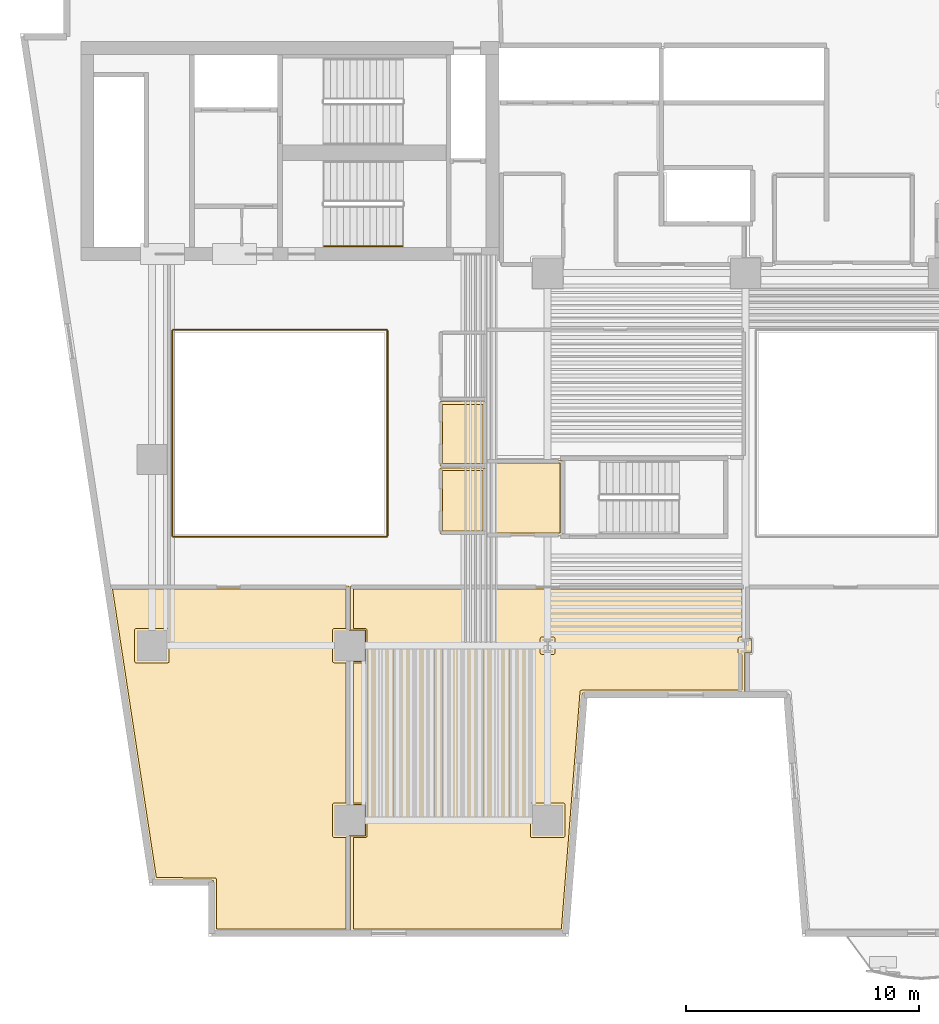
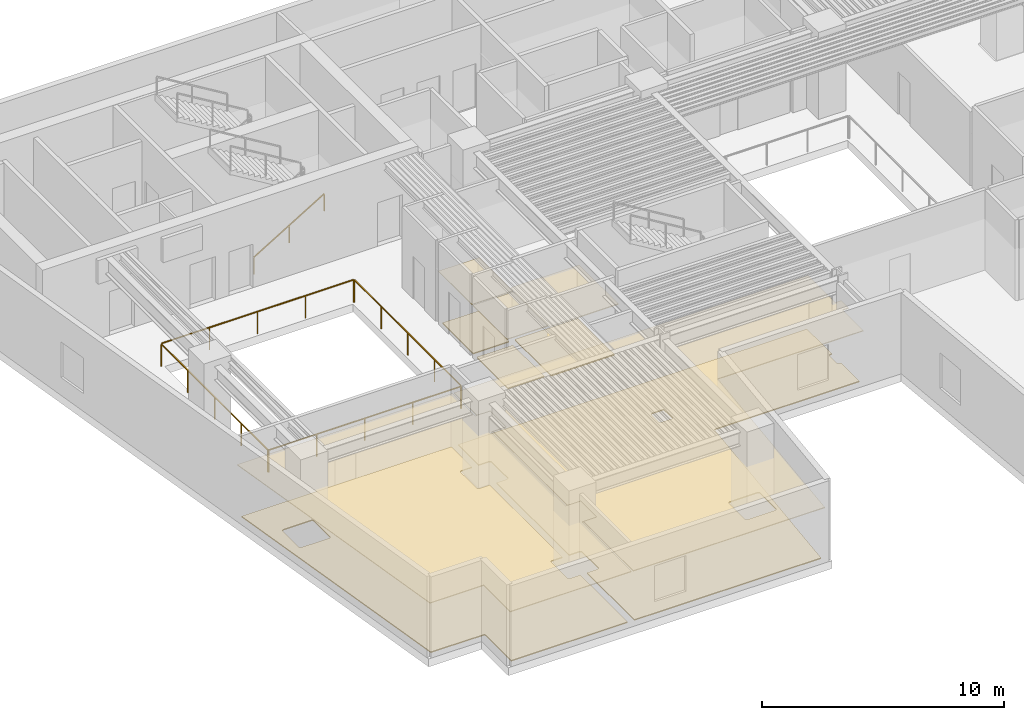
# One storey, part 8 of 12: 10 coverings, 5 railings.
"""IFC4 building model written with IfcOpenShell, lengths in metres."""

from ifc_helpers import new_model, si_unit, direction, frame, origin, origin_2d, place, context, subcontext, project, spatial, polyline, rectangle, outline, extrude, material, layer, layer_set, type_object, element, save


model = new_model("IFC4")

# Units and contexts
model_context = context("Model", 3, precision=1e-05, world=origin(), true_north=direction((0.0, 1.0)))
body_context = subcontext(model_context, "Body", "Model", "MODEL_VIEW")
ifc_project = project(units=[si_unit("LENGTHUNIT", "METRE"), si_unit("AREAUNIT", "SQUARE_METRE"), si_unit("VOLUMEUNIT", "CUBIC_METRE"), si_unit("PLANEANGLEUNIT", "RADIAN"), si_unit("MASSUNIT", "GRAM", prefix="KILO")], contexts=[model_context])

# Site, building, storey
site_placement = place(None, origin())
site = spatial("IfcSite", under=ifc_project, at=site_placement, CompositionType="ELEMENT")
building_placement = place(site_placement, origin())
building = spatial("IfcBuilding", under=site, at=building_placement, Name="Caeloran Harvest Quay", CompositionType="ELEMENT")
storey_placement = place(building_placement, frame((0.0, 0.0, 27.0)))
storey = spatial("IfcBuildingStorey", under=building, at=storey_placement, Name="L06", CompositionType="ELEMENT", Elevation=27.0)

# Coverings
ifc_material_1 = material(Name="Perforated Mineral-Fibre Acoustic Ceiling Tile", Category="ceiling")
ifc_layer_1 = layer(ifc_material_1, 0.0400390625, Name="Perforated Mineral-Fibre Acoustic Ceiling Tile")
ifc_layer_set_1 = layer_set([ifc_layer_1], Name="Perforated Mineral-Fibre Acoustic Ceiling Tile")
covering_type_1 = type_object("IfcCoveringType", Name="COV-CEILING-ACOUSTIC", PredefinedType="CEILING", material=ifc_layer_set_1)
covering_1_placement = place(storey_placement, frame((0.0, 0.0, 2.60009765625)))
element("IfcCovering", 1, at=covering_1_placement, inside=storey, type_object=covering_type_1, Name="L06 Female Washroom WC Acoustic Ceiling", PredefinedType="CEILING", context=body_context, shape_type="SweptSolid", body=[
    extrude(outline(polyline([(22.840087890625, 22.7099609375), (20.8701171875, 22.7099609375), (20.8701171875, 25.489990234375), (22.840087890625, 25.489990234375), (22.840087890625, 22.7099609375)])), origin(), (0.0, 0.0, 1.0), 0.039794921875),
])
covering_2_placement = place(storey_placement, frame((0.0, 0.0, 2.60009765625)))
element("IfcCovering", 2, at=covering_2_placement, inside=storey, type_object=covering_type_1, Name="L06 Accessible Unisex Washroom WC Acoustic Ceiling", PredefinedType="CEILING", context=body_context, shape_type="SweptSolid", body=[
    extrude(outline(polyline([(22.840087890625, 19.81005859375), (20.8701171875, 19.81005859375), (20.8701171875, 22.639892578125), (22.840087890625, 22.639892578125), (22.840087890625, 19.81005859375)])), origin(), (0.0, 0.0, 1.0), 0.039794921875),
])
covering_3_placement = place(storey_placement, frame((0.0, 0.0, 2.60009765625)))
element("IfcCovering", 3, at=covering_3_placement, inside=storey, type_object=covering_type_1, Name="Aeroponic Root-Mist Growing Chamber Acoustic Ceiling", PredefinedType="CEILING", context=body_context, shape_type="SweptSolid", body=[
    extrude(outline(polyline([(17.669921875, 6.830078125), (16.9599609375, 6.830078125), (16.9599609375, 2.719970703125), (11.156982421875, 2.719970703125), (11.156982421875, 4.919921875), (8.59130859375, 4.919921875), (6.668701171875, 17.56005859375), (16.9599609375, 17.56005859375), (16.9599609375, 15.669921875), (17.669921875, 15.669921875), (17.669921875, 14.330078125), (16.9599609375, 14.330078125), (16.9599609375, 8.169921875), (17.669921875, 8.169921875), (17.669921875, 6.830078125)])), origin(), (0.0, 0.0, 1.0), 0.039794921875),
])
covering_4_placement = place(storey_placement, frame((0.0, 0.0, 2.60009765625)))
element("IfcCovering", 4, at=covering_4_placement, inside=storey, type_object=covering_type_1, Name="Seedling Nursery Room Acoustic Ceiling", PredefinedType="CEILING", context=body_context, shape_type="SweptSolid", body=[
    extrude(outline(polyline([(16.330078125, 8.169921875), (17.0400390625, 8.169921875), (17.0400390625, 14.330078125), (16.330078125, 14.330078125), (16.330078125, 15.669921875), (17.0400390625, 15.669921875), (17.0400390625, 17.56005859375), (33.9599609375, 17.56005859375), (33.9599609375, 15.304443359375), (34.2470703125, 15.304443359375), (34.2470703125, 14.695556640625), (33.9599609375, 14.695556640625), (33.9599609375, 12.969970703125), (26.99951171875, 12.969970703125), (26.199462890625, 2.719970703125), (17.0400390625, 2.719970703125), (17.0400390625, 6.830078125), (16.330078125, 6.830078125), (16.330078125, 8.169921875)])), origin(), (0.0, 0.0, 1.0), 0.039794921875),
])
covering_5_placement = place(storey_placement, frame((0.0, 0.0, 2.60009765625)))
element("IfcCovering", 5, at=covering_5_placement, inside=storey, type_object=covering_type_1, Name="Agronomist Office Acoustic Ceiling", PredefinedType="CEILING", context=body_context, shape_type="SweptSolid", body=[
    extrude(outline(polyline([(26.139892578125, 22.9599609375), (26.139892578125, 19.7099609375), (22.8701171875, 19.7099609375), (22.8701171875, 22.9599609375), (26.139892578125, 22.9599609375)])), origin(), (0.0, 0.0, 1.0), 0.039794921875),
])
ifc_material_2 = material(Name="Calcium-Sulphate Raised Access Floor and Terrazzo Finish", Category="flooring")
ifc_layer_2 = layer(ifc_material_2, 0.050048828125, Name="Calcium-Sulphate Raised Access Floor and Terrazzo Finish")
ifc_layer_set_2 = layer_set([ifc_layer_2], Name="Calcium-Sulphate Raised Access Floor and Terrazzo Finish")
covering_type_2 = type_object("IfcCoveringType", Name="COV-FLOOR-RAISED", PredefinedType="FLOORING", material=ifc_layer_set_2)
covering_6_placement = place(storey_placement, origin())
element("IfcCovering", 6, at=covering_6_placement, inside=storey, type_object=covering_type_2, Name="L06 Female Washroom WC Raised Finish Flooring", PredefinedType="FLOORING", context=body_context, shape_type="SweptSolid", body=[
    extrude(outline(polyline([(22.719970703125, 22.830078125), (20.989990234375, 22.830078125), (20.989990234375, 25.3701171875), (22.719970703125, 25.3701171875), (22.719970703125, 22.830078125)])), origin(), (0.0, 0.0, 1.0), 0.050048828125),
])
covering_7_placement = place(storey_placement, origin())
element("IfcCovering", 7, at=covering_7_placement, inside=storey, type_object=covering_type_2, Name="L06 Accessible Unisex Washroom WC Raised Finish Flooring", PredefinedType="FLOORING", context=body_context, shape_type="SweptSolid", body=[
    extrude(outline(polyline([(22.719970703125, 19.929931640625), (20.989990234375, 19.929931640625), (20.989990234375, 22.52001953125), (22.719970703125, 22.52001953125), (22.719970703125, 19.929931640625)])), origin(), (0.0, 0.0, 1.0), 0.050048828125),
])
covering_8_placement = place(storey_placement, origin())
element("IfcCovering", 8, at=covering_8_placement, inside=storey, type_object=covering_type_2, Name="Aeroponic Root-Mist Growing Chamber Raised Finish Flooring", PredefinedType="FLOORING", context=body_context, shape_type="SweptSolid", body=[
    extrude(outline(polyline([(16.840087890625, 17.43994140625), (16.840087890625, 15.7451171875), (16.3271484375, 15.74462890625), (16.273193359375, 15.7158203125), (16.2548828125, 15.6650390625), (16.260986328125, 14.304443359375), (16.3271484375, 14.25537109375), (16.840087890625, 14.2548828125), (16.840087890625, 8.2451171875), (16.3271484375, 8.24462890625), (16.273193359375, 8.2158203125), (16.2548828125, 8.1650390625), (16.260986328125, 6.804443359375), (16.3271484375, 6.75537109375), (16.840087890625, 6.7548828125), (16.840087890625, 2.840087890625), (11.277099609375, 2.840087890625), (11.277099609375, 4.9599609375), (11.247802734375, 5.021728515625), (8.694580078125, 5.0400390625), (6.80810546875, 17.43994140625), (16.840087890625, 17.43994140625)]), holes=[polyline([(9.2451171875, 15.6650390625), (9.2216796875, 15.7216796875), (9.1650390625, 15.7451171875), (7.8349609375, 15.7451171875), (7.7783203125, 15.7216796875), (7.7548828125, 15.6650390625), (7.7548828125, 14.3349609375), (7.7783203125, 14.2783203125), (7.8349609375, 14.2548828125), (9.1650390625, 14.2548828125), (9.2216796875, 14.2783203125), (9.2451171875, 14.3349609375), (9.2451171875, 15.6650390625)])]), origin(), (0.0, 0.0, 1.0), 0.050048828125),
])
covering_9_placement = place(storey_placement, origin())
element("IfcCovering", 9, at=covering_9_placement, inside=storey, type_object=covering_type_2, Name="Seedling Nursery Room Raised Finish Flooring", PredefinedType="FLOORING", context=body_context, shape_type="SweptSolid", body=[
    extrude(outline(polyline([(33.840087890625, 17.43994140625), (33.840087890625, 15.37939453125), (33.72021484375, 15.3701171875), (33.677978515625, 15.299560546875), (33.679443359375, 14.684814453125), (33.727294921875, 14.626708984375), (33.840087890625, 14.62060546875), (33.840087890625, 13.090087890625), (26.96240234375, 13.090087890625), (26.891357421875, 13.046630859375), (26.08837890625, 2.840087890625), (17.159912109375, 2.840087890625), (17.159912109375, 6.7548828125), (17.6728515625, 6.75537109375), (17.726806640625, 6.7841796875), (17.7451171875, 6.8349609375), (17.739013671875, 8.195556640625), (17.6728515625, 8.24462890625), (17.159912109375, 8.2451171875), (17.159912109375, 14.2548828125), (17.6728515625, 14.25537109375), (17.726806640625, 14.2841796875), (17.7451171875, 14.3349609375), (17.739013671875, 15.695556640625), (17.6728515625, 15.74462890625), (17.159912109375, 15.7451171875), (17.159912109375, 17.43994140625), (33.840087890625, 17.43994140625)]), holes=[polyline([(26.2451171875, 8.1650390625), (26.2216796875, 8.2216796875), (26.1650390625, 8.2451171875), (24.8349609375, 8.2451171875), (24.7783203125, 8.2216796875), (24.7548828125, 8.1650390625), (24.7548828125, 6.8349609375), (24.7783203125, 6.7783203125), (24.8349609375, 6.7548828125), (26.1650390625, 6.7548828125), (26.2216796875, 6.7783203125), (26.2451171875, 6.8349609375), (26.2451171875, 8.1650390625)]), polyline([(25.822021484375, 14.700439453125), (25.8037109375, 15.350341796875), (25.749755859375, 15.379150390625), (25.258056640625, 15.37939453125), (25.201416015625, 15.356201171875), (25.177978515625, 15.299560546875), (25.177978515625, 14.700439453125), (25.201416015625, 14.643798828125), (25.258056640625, 14.62060546875), (25.741943359375, 14.62060546875), (25.798583984375, 14.643798828125), (25.822021484375, 14.700439453125)])]), origin(), (0.0, 0.0, 1.0), 0.050048828125),
])
covering_10_placement = place(storey_placement, origin())
element("IfcCovering", 10, at=covering_10_placement, inside=storey, type_object=covering_type_2, Name="Agronomist Office Raised Finish Flooring", PredefinedType="FLOORING", context=body_context, shape_type="SweptSolid", body=[
    extrude(outline(polyline([(26.02001953125, 22.840087890625), (26.02001953125, 19.830078125), (22.989990234375, 19.830078125), (22.989990234375, 22.840087890625), (26.02001953125, 22.840087890625)])), origin(), (0.0, 0.0, 1.0), 0.050048828125),
])

# Railings
ifc_material_3 = material(Name="Powder-Coated Steel Post and Laminated Glass Guardrail", Category="steel")
ifc_layer_3 = layer(ifc_material_3, 0.06005859375, Name="Powder-Coated Steel Post and Laminated Glass Guardrail")
ifc_layer_set_3 = layer_set([ifc_layer_3], Name="Powder-Coated Steel Post and Laminated Glass Guardrail")
railing_type_1 = type_object("IfcRailingType", Name="GUARD-ATRIUM-1150", PredefinedType="GUARDRAIL", material=ifc_layer_set_3)
railing_1_placement = place(storey_placement, frame((9.412109375, 19.679931640625, 0.0)))
element("IfcRailing", 11, at=railing_1_placement, inside=storey, type_object=railing_type_1, Name="L06 Skylit Atrium Void Perimeter Guardrail Seg 1", PredefinedType="GUARDRAIL", context=body_context, shape_type="SweptSolid", body=[
    extrude(rectangle(XDim=0.048095703125, YDim=0.048095703125, at=origin_2d()), frame((0.0, 0.0, 1.1259765625), z_axis=(1.0, 0.0, 0.0), x_axis=(0.0, 1.0, 0.0)), (0.0, 0.0, 1.0), 9.17578125),
    extrude(rectangle(XDim=0.0419921875, YDim=0.0419921875, at=origin_2d()), origin(), (0.0, 0.0, 1.0), 1.101806640625),
    extrude(rectangle(XDim=0.0419921875, YDim=0.0419921875, at=origin_2d()), frame((2.2939453125, 0.0, 0.0)), (0.0, 0.0, 1.0), 1.101806640625),
    extrude(rectangle(XDim=0.0419921875, YDim=0.0419921875, at=origin_2d()), frame((4.587890625, 0.0, 0.0)), (0.0, 0.0, 1.0), 1.101806640625),
    extrude(rectangle(XDim=0.0419921875, YDim=0.0419921875, at=origin_2d()), frame((6.8818359375, 0.0, 0.0)), (0.0, 0.0, 1.0), 1.101806640625),
    extrude(rectangle(XDim=0.0419921875, YDim=0.0419921875, at=origin_2d()), frame((9.17578125, 0.0, 0.0)), (0.0, 0.0, 1.0), 1.101806640625),
])
railing_2_placement = place(storey_placement, frame((18.6201171875, 19.7119140625, 0.0)))
element("IfcRailing", 12, at=railing_2_placement, inside=storey, type_object=railing_type_1, Name="L06 Skylit Atrium Void Perimeter Guardrail Seg 2", PredefinedType="GUARDRAIL", context=body_context, shape_type="SweptSolid", body=[
    extrude(rectangle(XDim=0.048095703125, YDim=0.048095703125, at=origin_2d()), frame((0.0, 0.0, 1.1259765625), z_axis=(0.0, 1.0, 0.0), x_axis=(-1.0, 0.0, 0.0)), (0.0, 0.0, 1.0), 8.826171875),
    extrude(rectangle(XDim=0.0419921875, YDim=0.0419921875, at=origin_2d()), origin(), (0.0, 0.0, 1.0), 1.101806640625),
    extrude(rectangle(XDim=0.0419921875, YDim=0.0419921875, at=origin_2d()), frame((0.0, 2.20654296875, 0.0)), (0.0, 0.0, 1.0), 1.101806640625),
    extrude(rectangle(XDim=0.0419921875, YDim=0.0419921875, at=origin_2d()), frame((0.0, 4.4130859375, 0.0)), (0.0, 0.0, 1.0), 1.101806640625),
    extrude(rectangle(XDim=0.0419921875, YDim=0.0419921875, at=origin_2d()), frame((0.0, 6.61962890625, 0.0)), (0.0, 0.0, 1.0), 1.101806640625),
    extrude(rectangle(XDim=0.0419921875, YDim=0.0419921875, at=origin_2d()), frame((0.0, 8.826171875, 0.0)), (0.0, 0.0, 1.0), 1.101806640625),
])
railing_3_placement = place(storey_placement, frame((18.587890625, 28.570068359375, 0.0)))
element("IfcRailing", 13, at=railing_3_placement, inside=storey, type_object=railing_type_1, Name="L06 Skylit Atrium Void Perimeter Guardrail Seg 3", PredefinedType="GUARDRAIL", context=body_context, shape_type="SweptSolid", body=[
    extrude(rectangle(XDim=0.048095703125, YDim=0.048095703125, at=origin_2d()), frame((0.0, 0.0, 1.1259765625), z_axis=(-1.0, 0.0, 0.0), x_axis=(0.0, -1.0, 0.0)), (0.0, 0.0, 1.0), 9.17578125),
    extrude(rectangle(XDim=0.0419921875, YDim=0.0419921875, at=origin_2d()), origin(), (0.0, 0.0, 1.0), 1.101806640625),
    extrude(rectangle(XDim=0.0419921875, YDim=0.0419921875, at=origin_2d()), frame((-2.2939453125, 0.0, 0.0)), (0.0, 0.0, 1.0), 1.101806640625),
    extrude(rectangle(XDim=0.0419921875, YDim=0.0419921875, at=origin_2d()), frame((-4.587890625, 0.0, 0.0)), (0.0, 0.0, 1.0), 1.101806640625),
    extrude(rectangle(XDim=0.0419921875, YDim=0.0419921875, at=origin_2d()), frame((-6.8818359375, 0.0, 0.0)), (0.0, 0.0, 1.0), 1.101806640625),
    extrude(rectangle(XDim=0.0419921875, YDim=0.0419921875, at=origin_2d()), frame((-9.17578125, 0.0, 0.0)), (0.0, 0.0, 1.0), 1.101806640625),
])
railing_4_placement = place(storey_placement, frame((9.3798828125, 28.5380859375, 0.0)))
element("IfcRailing", 14, at=railing_4_placement, inside=storey, type_object=railing_type_1, Name="L06 Skylit Atrium Void Perimeter Guardrail Seg 4", PredefinedType="GUARDRAIL", context=body_context, shape_type="SweptSolid", body=[
    extrude(rectangle(XDim=0.048095703125, YDim=0.048095703125, at=origin_2d()), frame((0.0, 0.0, 1.1259765625), z_axis=(0.0, -1.0, 0.0), x_axis=(1.0, 0.0, 0.0)), (0.0, 0.0, 1.0), 8.826171875),
    extrude(rectangle(XDim=0.0419921875, YDim=0.0419921875, at=origin_2d()), origin(), (0.0, 0.0, 1.0), 1.101806640625),
    extrude(rectangle(XDim=0.0419921875, YDim=0.0419921875, at=origin_2d()), frame((0.0, -2.20654296875, 0.0)), (0.0, 0.0, 1.0), 1.101806640625),
    extrude(rectangle(XDim=0.0419921875, YDim=0.0419921875, at=origin_2d()), frame((0.0, -4.4130859375, 0.0)), (0.0, 0.0, 1.0), 1.101806640625),
    extrude(rectangle(XDim=0.0419921875, YDim=0.0419921875, at=origin_2d()), frame((0.0, -6.61962890625, 0.0)), (0.0, 0.0, 1.0), 1.101806640625),
    extrude(rectangle(XDim=0.0419921875, YDim=0.0419921875, at=origin_2d()), frame((0.0, -8.826171875, 0.0)), (0.0, 0.0, 1.0), 1.101806640625),
])
ifc_material_4 = material(Name="Brushed Stainless Steel Grade 304", Category="steel")
ifc_layer_4 = layer(ifc_material_4, 0.050048828125, Name="Brushed Stainless Steel Grade 304")
ifc_layer_set_4 = layer_set([ifc_layer_4], Name="Brushed Stainless Steel Grade 304")
railing_type_2 = type_object("IfcRailingType", Name="STAIR-HANDRAIL-900", PredefinedType="HANDRAIL", material=ifc_layer_set_4)
railing_5_placement = place(storey_placement, frame((15.89990234375, 32.14990234375, 0.169189453125)))
element("IfcRailing", 15, at=railing_5_placement, inside=storey, type_object=railing_type_2, Name="L06 ST-C2 stair handrail 1", PredefinedType="HANDRAIL", context=body_context, shape_type="SweptSolid", body=[
    extrude(rectangle(XDim=0.048095703125, YDim=0.048095703125, at=origin_2d()), frame((0.0, 0.0, 0.8759765625), z_axis=(0.855836976705, 0.0, 0.517245656632), x_axis=(0.0, 1.0, 0.0)), (0.0, 0.0, 1.0), 3.926025390625),
    extrude(rectangle(XDim=0.0419921875, YDim=0.0419921875, at=origin_2d()), origin(), (0.0, 0.0, 1.0), 0.851806640625),
    extrude(rectangle(XDim=0.0419921875, YDim=0.0419921875, at=origin_2d()), frame((1.68017578125, 0.0, 1.015380859375)), (0.0, 0.0, 1.0), 0.851806640625),
    extrude(rectangle(XDim=0.0419921875, YDim=0.0419921875, at=origin_2d()), frame((3.360107421875, 0.0, 2.03076171875)), (0.0, 0.0, 1.0), 0.851806640625),
])

save(model, "model.ifc")
